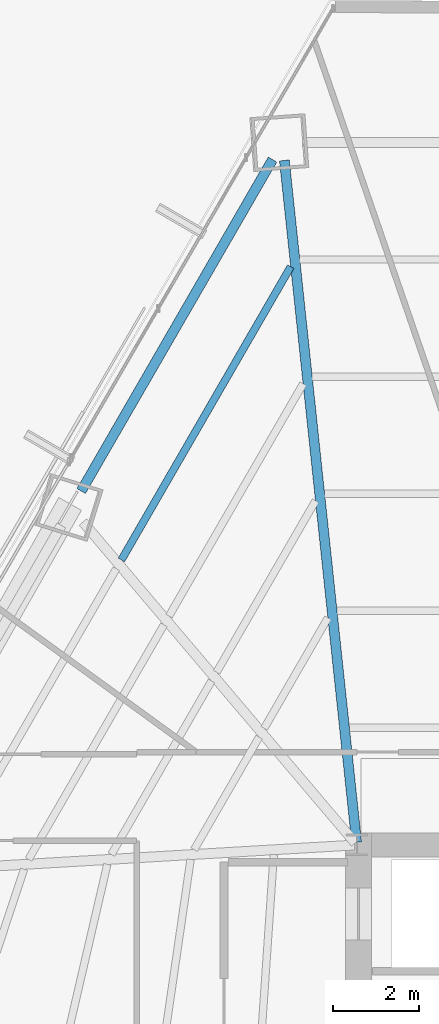
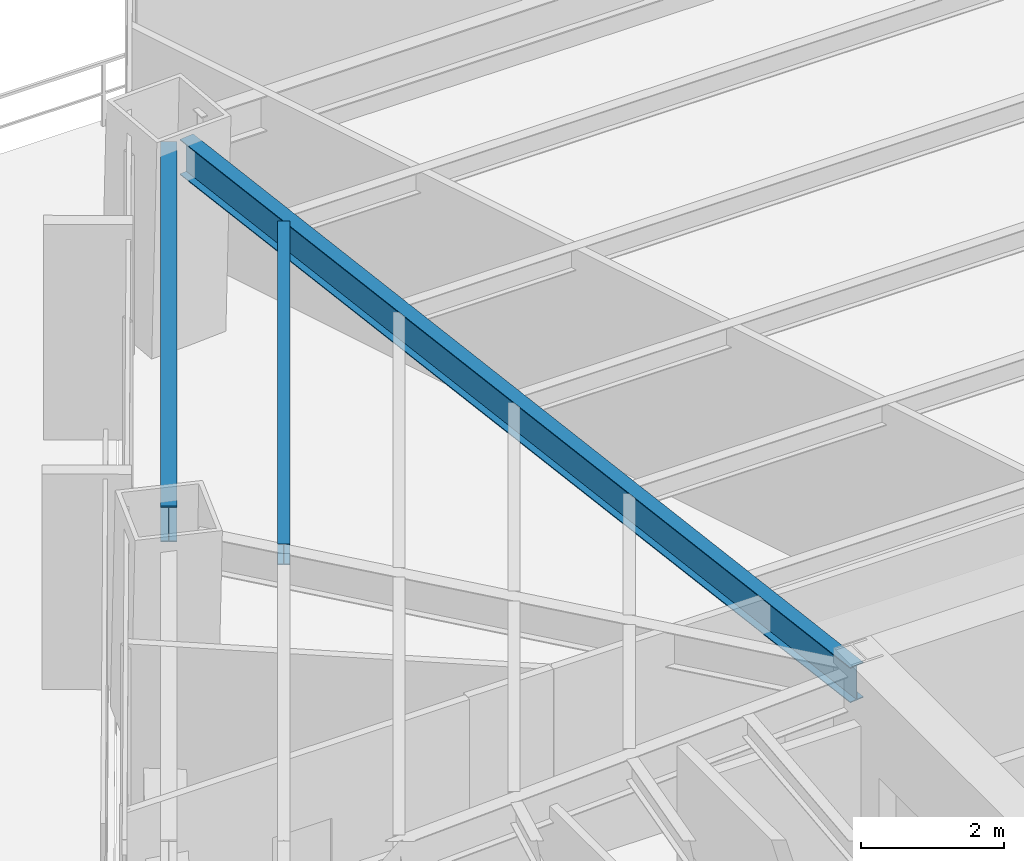
# One storey, part 20 of 35: 3 beams.
"""IFC4 building model written with IfcOpenShell, lengths in metres."""

import ifcopenshell
import ifcopenshell.guid

model = None  # the IFC model being written
_history = None  # IfcOwnerHistory: only IFC2X3 demands one
_inside = {}  # id of a spatial element -> (the spatial element, [elements in it])
_under = {}  # id of a project, library or spatial element -> (it, [spatial elements below it])
_declared = {}  # id of a project -> (the project, [libraries it declares])
_typed = {}  # id of a type object -> (the type object, [elements of that type])
_made_of = {}  # id of a material, layer set ... -> (it, [elements and type objects made of it])


def new_model(schema):
    """Start an empty IFC model of exactly this schema.

    Asked for "IFC4X3", IfcOpenShell would pick the latest addendum, in which some entities
    have other attributes; the version numbers below select the first issue.
    IFC2X3 requires an IfcOwnerHistory on every rooted entity: one is made here for all.
    """
    global model, _history
    if schema == "IFC4X3":
        model = ifcopenshell.file(schema_version=(4, 3, 0, 0))
    else:
        model = ifcopenshell.file(schema=schema)
    _inside.clear()
    _under.clear()
    _declared.clear()
    _typed.clear()
    _made_of.clear()
    _history = None
    if model.schema == "IFC2X3":
        org = make("IfcOrganization", Name="unknown")
        user = make(
            "IfcPersonAndOrganization",
            ThePerson=make("IfcPerson", FamilyName="unknown"),
            TheOrganization=org,
        )
        app = make(
            "IfcApplication",
            ApplicationDeveloper=org,
            Version="unknown",
            ApplicationFullName="unknown",
            ApplicationIdentifier="unknown",
        )
        _history = make(
            "IfcOwnerHistory",
            OwningUser=user,
            OwningApplication=app,
            ChangeAction="ADDED",
            CreationDate=0,
        )
    return model


def make(cls, **values):
    """One entity of the class cls with the attributes given. An attribute that is None is left unset."""
    return model.create_entity(
        cls, **{name: value for name, value in values.items() if value is not None}
    )


def rooted(cls, **values):
    """An entity with a GlobalId (a new one), such as an element, a storey or a relation."""
    return make(cls, GlobalId=ifcopenshell.guid.new(), OwnerHistory=_history, **values)


def si_unit(unit_type, name, prefix=None):
    """IfcSIUnit, for example si_unit("LENGTHUNIT", "METRE", prefix="MILLI")."""
    return make("IfcSIUnit", UnitType=unit_type, Prefix=prefix, Name=name)


def assignment(units):
    """IfcUnitAssignment: the units of a project."""
    return None if units is None else make("IfcUnitAssignment", Units=units)


def point(xyz):
    """IfcCartesianPoint."""
    return None if xyz is None else make("IfcCartesianPoint", Coordinates=xyz)


def direction(xyz):
    """IfcDirection."""
    return None if xyz is None else make("IfcDirection", DirectionRatios=xyz)


def frame(location, z_axis=None, x_axis=None):
    """IfcAxis2Placement3D, a coordinate frame: its origin and axes. An axis left out is left unset."""
    return make(
        "IfcAxis2Placement3D",
        Location=point(location),
        Axis=direction(z_axis),
        RefDirection=direction(x_axis),
    )


def frame_2d(location, x_axis=None):
    """IfcAxis2Placement2D, a coordinate frame in the plane: its origin and x axis."""
    return make(
        "IfcAxis2Placement2D", Location=point(location), RefDirection=direction(x_axis)
    )


def origin():
    """The frame at (0, 0, 0) with its axes left unset."""
    return frame((0.0, 0.0, 0.0))


def origin_2d():
    """The frame at (0, 0) in the plane with its x axis left unset."""
    return frame_2d((0.0, 0.0))


def place(relative_to, where):
    """IfcLocalPlacement: puts the frame where relative to a parent placement (None: the world)."""
    return make(
        "IfcLocalPlacement", PlacementRelTo=relative_to, RelativePlacement=where
    )


def context(
    kind, dimensions, precision=None, world=None, true_north=None, identifier=None
):
    """IfcGeometricRepresentationContext, for example the 3D "Model" context."""
    return make(
        "IfcGeometricRepresentationContext",
        ContextIdentifier=identifier,
        ContextType=kind,
        CoordinateSpaceDimension=dimensions,
        Precision=precision,
        WorldCoordinateSystem=world,
        TrueNorth=true_north,
    )


def subcontext(parent, identifier, kind, view, scale=None):
    """IfcGeometricRepresentationSubContext, for example "Body" below "Model"."""
    return make(
        "IfcGeometricRepresentationSubContext",
        ContextIdentifier=identifier,
        ContextType=kind,
        ParentContext=parent,
        TargetScale=scale,
        TargetView=view,
    )


def project(units=None, contexts=None):
    """IfcProject with its units and contexts."""
    return rooted(
        "IfcProject",
        Name="project",
        RepresentationContexts=contexts,
        UnitsInContext=assignment(units),
    )


def spatial(cls, under=None, at=None, **own):
    """A site, building, storey or space (cls), placed at a placement, below another one or the project."""
    s = rooted(cls, ObjectPlacement=at, **own)
    if under is not None:
        _under.setdefault(under.id(), (under, []))[1].append(s)
    return s


def profile(cls, at=None, kind="AREA", **sizes):
    """A parametric profile (cls). Its sizes go by their IFC names, for example OverallWidth=200.0."""
    return make(cls, ProfileType=kind, Position=at, **sizes)


def i_section(**sizes):
    """IfcIShapeProfileDef."""
    return profile("IfcIShapeProfileDef", **sizes)


def extrude(swept, where, along, depth):
    """IfcExtrudedAreaSolid: the profile swept, set in the frame where, extruded along a direction by depth."""
    return make(
        "IfcExtrudedAreaSolid",
        SweptArea=swept,
        Position=where,
        ExtrudedDirection=direction(along),
        Depth=depth,
    )


def shape(context_of_items, identifier, shape_type, items):
    """IfcShapeRepresentation: the items that make up one representation, for example the "Body"."""
    return make(
        "IfcShapeRepresentation",
        ContextOfItems=context_of_items,
        RepresentationIdentifier=identifier,
        RepresentationType=shape_type,
        Items=items,
    )


def source(mapping_origin, context_of_items, identifier, shape_type, items):
    """IfcRepresentationMap: a shape defined once, which mapped items show again and again."""
    return make(
        "IfcRepresentationMap",
        MappingOrigin=mapping_origin,
        MappedRepresentation=shape(context_of_items, identifier, shape_type, items),
    )


def transform(
    local_origin,
    x_axis=None,
    y_axis=None,
    z_axis=None,
    scale=None,
    scale2=None,
    scale3=None,
    uniform=True,
):
    """IfcCartesianTransformationOperator3D, or its non-uniform kind. x_axis, y_axis, z_axis: its Axis1, 2, 3."""
    if uniform:
        return make(
            "IfcCartesianTransformationOperator3D",
            Axis1=direction(x_axis),
            Axis2=direction(y_axis),
            LocalOrigin=point(local_origin),
            Scale=scale,
            Axis3=direction(z_axis),
        )
    return make(
        "IfcCartesianTransformationOperator3DnonUniform",
        Axis1=direction(x_axis),
        Axis2=direction(y_axis),
        LocalOrigin=point(local_origin),
        Scale=scale,
        Axis3=direction(z_axis),
        Scale2=scale2,
        Scale3=scale3,
    )


def mapped(mapping_source, mapping_target):
    """IfcMappedItem: shows the shape of a source again, moved by a transform."""
    return make(
        "IfcMappedItem", MappingSource=mapping_source, MappingTarget=mapping_target
    )


def material(Name=None, Category=None):
    """IfcMaterial."""
    return make("IfcMaterial", Name=Name, Category=Category)


def material_profile(
    of_material, cross_section, Name=None, Category=None, Priority=None
):
    """IfcMaterialProfile: a cross section and its material."""
    return make(
        "IfcMaterialProfile",
        Name=Name,
        Material=of_material,
        Profile=cross_section,
        Priority=Priority,
        Category=Category,
    )


def profile_set(profiles, Name=None, composite=None):
    """IfcMaterialProfileSet."""
    return make(
        "IfcMaterialProfileSet",
        Name=Name,
        MaterialProfiles=profiles,
        CompositeProfile=composite,
    )


def made_of(thing, what):
    """Note that an element or type object is made of a material, layer set ...; save() writes the relation."""
    if what is not None:
        _made_of.setdefault(what.id(), (what, []))[1].append(thing)
    return thing


def type_object(cls, material=None, **own):
    """A type object (cls), such as IfcWallType, which elements share."""
    return made_of(rooted(cls, **own), material)


def type_shapes(of_type, sources):
    """Give a type object the sources (RepresentationMaps) that its elements show as mapped items."""
    of_type.RepresentationMaps = sources


def element(
    cls,
    number,
    at=None,
    inside=None,
    cuts=None,
    type_object=None,
    material=None,
    context=None,
    identifier="Body",
    shape_type=None,
    held_by="IfcProductDefinitionShape",
    body=None,
    shapes=None,
    **own,
):
    """One element of the class cls, such as IfcWall. Its Tag is "e" and its number.

    at: its placement. inside: the storey or other place that contains it. cuts: it is an
    opening in that element (IfcRelVoidsElement). A single representation is given by context,
    identifier, shape_type and body (its items); several are given by shapes. held_by: the class
    of the entity that holds the representations. save() writes the other relations.
    """
    e = rooted(cls, Tag="e%d" % number, ObjectPlacement=at, **own)
    if body is not None:
        shapes = [shape(context, identifier, shape_type, body)]
    if shapes is not None:
        e.Representation = make(held_by, Representations=shapes)
    if inside is not None:
        _inside.setdefault(inside.id(), (inside, []))[1].append(e)
    if cuts is not None:
        rooted(
            "IfcRelVoidsElement", RelatingBuildingElement=cuts, RelatedOpeningElement=e
        )
    if type_object is not None:
        _typed.setdefault(type_object.id(), (type_object, []))[1].append(e)
    return made_of(e, material)


def aggregate(whole, parts):
    """IfcRelAggregates: a whole, such as a stair, and the parts it consists of."""
    return rooted("IfcRelAggregates", RelatingObject=whole, RelatedObjects=parts)


def save(model, path):
    """Write the relations noted so far, then the file.

    IfcRelAggregates (storeys below a building ...), IfcRelContainedInSpatialStructure (elements
    in a storey), IfcRelDefinesByType, IfcRelAssociatesMaterial and IfcRelDeclares: one each for
    every whole, place, type object, material and project.
    """
    for whole, parts in _under.values():
        aggregate(whole, parts)
    for where, things in _inside.values():
        rooted(
            "IfcRelContainedInSpatialStructure",
            RelatedElements=things,
            RelatingStructure=where,
        )
    for kind, things in _typed.values():
        rooted("IfcRelDefinesByType", RelatedObjects=things, RelatingType=kind)
    for what, things in _made_of.values():
        rooted("IfcRelAssociatesMaterial", RelatedObjects=things, RelatingMaterial=what)
    for by, libraries in _declared.values():
        rooted("IfcRelDeclares", RelatingContext=by, RelatedDefinitions=libraries)
    model.write(path)


model = new_model("IFC4")

# Units and contexts
model_context = context("Model", 3, precision=1e-05, world=origin(), true_north=direction((0.0, 1.0)))
body_context = subcontext(model_context, "Body", "Model", "MODEL_VIEW")
ifc_project = project(units=[si_unit("LENGTHUNIT", "METRE"), si_unit("AREAUNIT", "SQUARE_METRE"), si_unit("VOLUMEUNIT", "CUBIC_METRE"), si_unit("PLANEANGLEUNIT", "RADIAN"), si_unit("MASSUNIT", "GRAM", prefix="KILO")], contexts=[model_context])

# Site, building, storey
site_placement = place(None, origin())
site = spatial("IfcSite", under=ifc_project, at=site_placement, CompositionType="ELEMENT")
building_placement = place(site_placement, origin())
building = spatial("IfcBuilding", under=site, at=building_placement, Name="Caelisora Broadcast Tower", CompositionType="ELEMENT")
storey_placement = place(building_placement, frame((0.0, 0.0, 27.60009765625)))
storey = spatial("IfcBuildingStorey", under=building, at=storey_placement, Name="L06", CompositionType="ELEMENT", Elevation=27.60009765625)

# Beams
ifc_material = material(Name="Steel Grade 350 (AS/NZS 3679.1)", Category="steel")
ifc_material_profile_1 = material_profile(ifc_material, i_section(OverallWidth=0.22900390625, OverallDepth=0.611572265625, WebThickness=0.011962890625, FlangeThickness=0.01953125, at=origin_2d()), Name="Steel Grade 350 (AS/NZS 3679.1)")
ifc_profile_set_1 = profile_set([ifc_material_profile_1], Name="Steel Grade 350 (AS/NZS 3679.1)")
beam_type_1 = type_object("IfcBeamType", Name="PG03", PredefinedType="BEAM", material=ifc_profile_set_1)
shared_shape_1 = source(origin(), body_context, "Body", "SweptSolid", [
    extrude(i_section(OverallWidth=0.22900390625, OverallDepth=0.611572265625, WebThickness=0.011962890625, FlangeThickness=0.01953125, at=origin_2d()), origin(), (0.0, 0.0, 1.0), 8.867431640625),
])
type_shapes(beam_type_1, [shared_shape_1])
beam_1_placement = place(storey_placement, frame((28.545654296875, 45.8798828125, 3.093994140625), z_axis=(-0.500009235922, -0.866020071357, 0.0), x_axis=(0.866020071357, -0.500009235922, 0.0)))
element("IfcBeam", 1, at=beam_1_placement, inside=storey, type_object=beam_type_1, Name="L06 beam PG03", PredefinedType="BEAM", context=body_context, shape_type="MappedRepresentation", body=[
    mapped(shared_shape_1, transform((0.0, 0.0, 0.0), scale=1.0)),
])
ifc_material_profile_2 = material_profile(ifc_material, i_section(OverallWidth=0.22802734375, OverallDepth=0.602294921875, WebThickness=0.010498046875, FlangeThickness=0.014892578125, at=origin_2d()), Name="Steel Grade 350 (AS/NZS 3679.1)")
ifc_profile_set_2 = profile_set([ifc_material_profile_2], Name="Steel Grade 350 (AS/NZS 3679.1)")
beam_type_2 = type_object("IfcBeamType", Name="PG04", PredefinedType="BEAM", material=ifc_profile_set_2)
shared_shape_2 = source(origin(), body_context, "Body", "SweptSolid", [
    extrude(i_section(OverallWidth=0.22802734375, OverallDepth=0.602294921875, WebThickness=0.010498046875, FlangeThickness=0.014892578125, at=origin_2d()), origin(), (0.0, 0.0, 1.0), 15.88916015625),
])
type_shapes(beam_type_2, [shared_shape_2])
beam_2_placement = place(storey_placement, frame((30.49365234375, 30.059814453125, 3.098876953125), z_axis=(-0.105343823446, 0.994435859602, 0.0), x_axis=(-0.994435859602, -0.105343823446, 0.0)))
element("IfcBeam", 2, at=beam_2_placement, inside=storey, type_object=beam_type_2, Name="L06 beam PG04", PredefinedType="BEAM", context=body_context, shape_type="MappedRepresentation", body=[
    mapped(shared_shape_2, transform((0.0, 0.0, 0.0), scale=1.0)),
])
ifc_material_profile_3 = material_profile(ifc_material, i_section(OverallWidth=0.172119140625, OverallDepth=0.358642578125, WebThickness=0.008056640625, FlangeThickness=0.012939453125, at=origin_2d()), Name="Steel Grade 350 (AS/NZS 3679.1)")
ifc_profile_set_3 = profile_set([ifc_material_profile_3], Name="Steel Grade 350 (AS/NZS 3679.1)")
beam_type_3 = type_object("IfcBeamType", Name="SB02", PredefinedType="JOIST", material=ifc_profile_set_3)
shared_shape_3 = source(origin(), body_context, "Body", "SweptSolid", [
    extrude(i_section(OverallWidth=0.172119140625, OverallDepth=0.358642578125, WebThickness=0.008056640625, FlangeThickness=0.012939453125, at=origin_2d()), origin(), (0.0, 0.0, 1.0), 7.84765625),
])
type_shapes(beam_type_3, [shared_shape_3])
beam_3_placement = place(storey_placement, frame((28.9677734375, 43.400146484375, 3.220703125), z_axis=(-0.500007012819, -0.866021354894, 0.0), x_axis=(0.866021354894, -0.500007012819, 0.0)))
element("IfcBeam", 3, at=beam_3_placement, inside=storey, type_object=beam_type_3, Name="L06 beam SB02", PredefinedType="JOIST", context=body_context, shape_type="MappedRepresentation", body=[
    mapped(shared_shape_3, transform((0.0, 0.0, 0.0), scale=1.0)),
])

save(model, "model.ifc")
